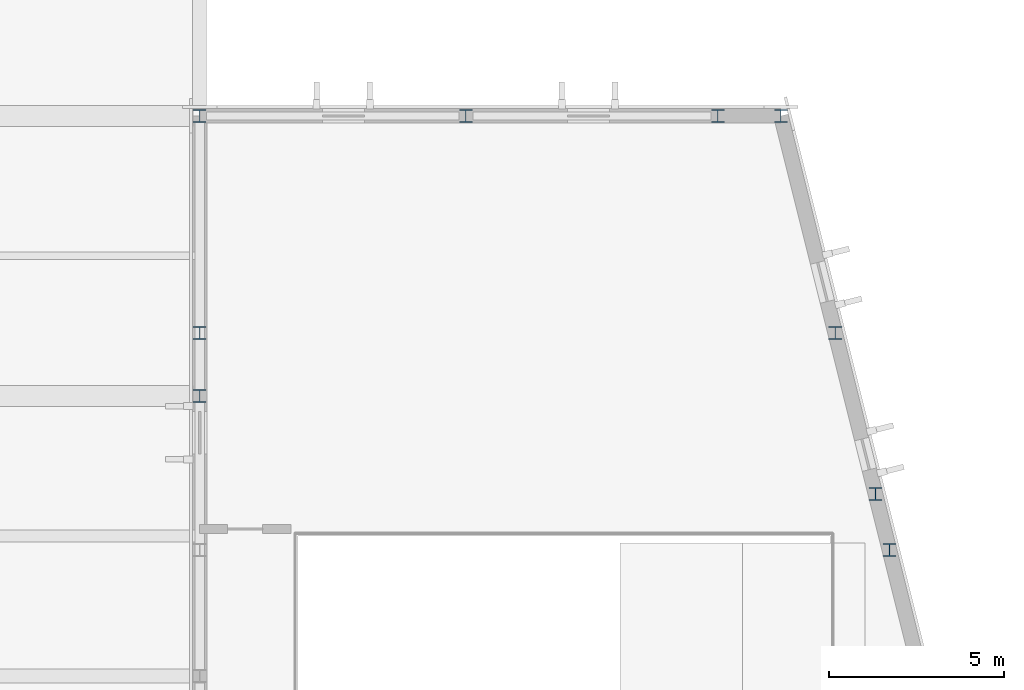
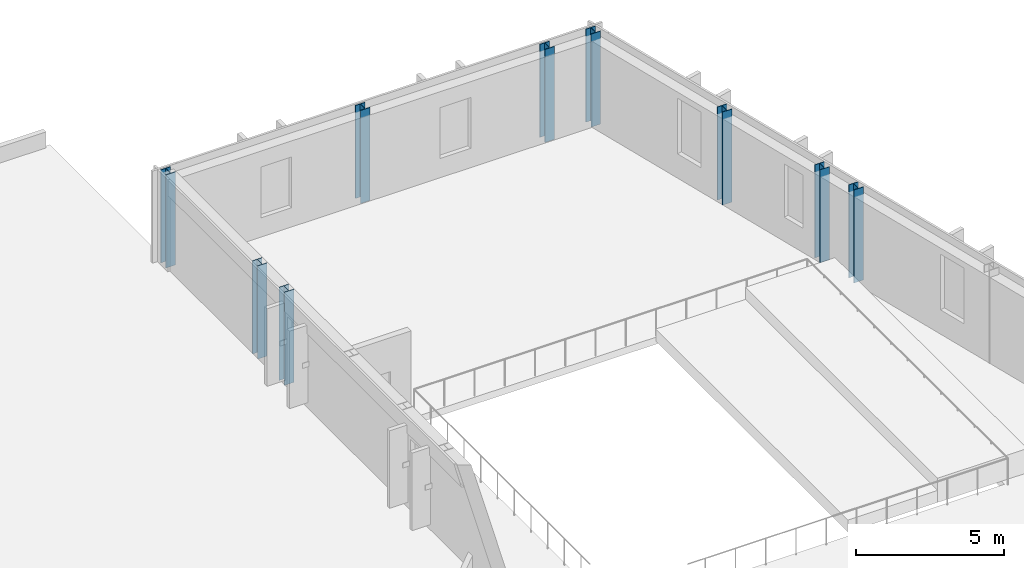
# One storey, part 13 of 85: 9 columns.
"""IFC4 building model written with IfcOpenShell, lengths in metres."""

from ifc_helpers import new_model, si_unit, direction, frame, origin, origin_2d, place, context, subcontext, project, spatial, i_section, extrude, material, material_profile, profile_set, type_object, element, save


model = new_model("IFC4")

# Units and contexts
model_context = context("Model", 3, precision=1e-05, world=origin(), true_north=direction((0.0, 1.0)))
body_context = subcontext(model_context, "Body", "Model", "MODEL_VIEW")
ifc_project = project(units=[si_unit("LENGTHUNIT", "METRE"), si_unit("AREAUNIT", "SQUARE_METRE"), si_unit("VOLUMEUNIT", "CUBIC_METRE"), si_unit("PLANEANGLEUNIT", "RADIAN"), si_unit("MASSUNIT", "GRAM", prefix="KILO")], contexts=[model_context])

# Site, building, storey
site_placement = place(None, origin())
site = spatial("IfcSite", under=ifc_project, at=site_placement, CompositionType="ELEMENT")
building_placement = place(site_placement, origin())
building = spatial("IfcBuilding", under=site, at=building_placement, Name="Vervanel Yard Central Library", CompositionType="ELEMENT")
storey_placement = place(building_placement, frame((0.0, 0.0, 5.10009765625)))
storey = spatial("IfcBuildingStorey", under=building, at=storey_placement, Name="L01", CompositionType="ELEMENT", Elevation=5.10009765625)

# Columns
ifc_material = material(Name="Steel ASTM A992 Grade 50", Category="steel")
ifc_material_profile = material_profile(ifc_material, i_section(OverallWidth=0.373291015625, OverallDepth=0.368408203125, WebThickness=0.014892578125, FlangeThickness=0.02392578125, at=origin_2d()), Name="W14X120", Category="steel")
ifc_profile_set = profile_set([ifc_material_profile], Name="Steel ASTM A992 Grade 50")
column_type = type_object("IfcColumnType", Name="Steel Column W14X120", PredefinedType="COLUMN", material=ifc_profile_set)
for number, where, z_axis, x_axis, name in (
    (1, (146.0, 98.0, 0.0), (0.0, 0.0, 1.0), (1.0, 0.0, 0.0), "L01 Steel Column W14X120 (146.0, 98.0)"),
    (2, (146.0, 106.0, 0.0), (0.0, 0.0, 1.0), (1.0, 0.0, 0.0), "L01 Steel Column W14X120 (146.0, 106.0)"),
    (3, (153.60009765625, 106.0, 0.0), (0.0, 0.0, 1.0), (1.0, 0.0, 0.0), "L01 Steel Column W14X120 (153.6, 106.0)"),
    (4, (160.800048828125, 106.0, 0.0), (0.0, 0.0, 1.0), (1.0, 0.0, 0.0), "L01 Steel Column W14X120 (160.8, 106.0)"),
    (5, (162.60009765625, 106.0, 0.0), (0.0, 0.0, 1.0), (1.0, 0.0, 0.0), "L01 Steel Column W14X120 (162.6, 106.0)"),
    (6, (165.300048828125, 95.199951171875, 0.0), (0.0, 0.0, 1.0), (1.0, 0.0, 0.0), "L01 Steel Column W14X120 (165.3, 95.2)"),
    (7, (165.699951171875, 93.60009765625, 0.0), (0.0, 0.0, 1.0), (1.0, 0.0, 0.0), "L01 Auditorium East Post 4"),
    (8, (146.0, 99.800048828125, 0.0), (0.0, 0.0, 1.0), (1.0, 0.0, 0.0), "L01 Auditorium West Post 5"),
    (9, (164.14990234375, 99.800048828125, 0.0), (0.0, 0.0, 1.0), (1.0, 0.0, 0.0), "L01 Auditorium East Post 5"),
):
    element("IfcColumn", number, at=place(storey_placement, frame(where, z_axis=z_axis, x_axis=x_axis)), inside=storey, type_object=column_type, Name=name, PredefinedType="COLUMN", context=body_context, shape_type="SweptSolid", body=[
        extrude(i_section(OverallWidth=0.373291015625, OverallDepth=0.368408203125, WebThickness=0.014892578125, FlangeThickness=0.02392578125, at=origin_2d()), origin(), (0.0, 0.0, 1.0), 3.83984375),
    ])

save(model, "model.ifc")
